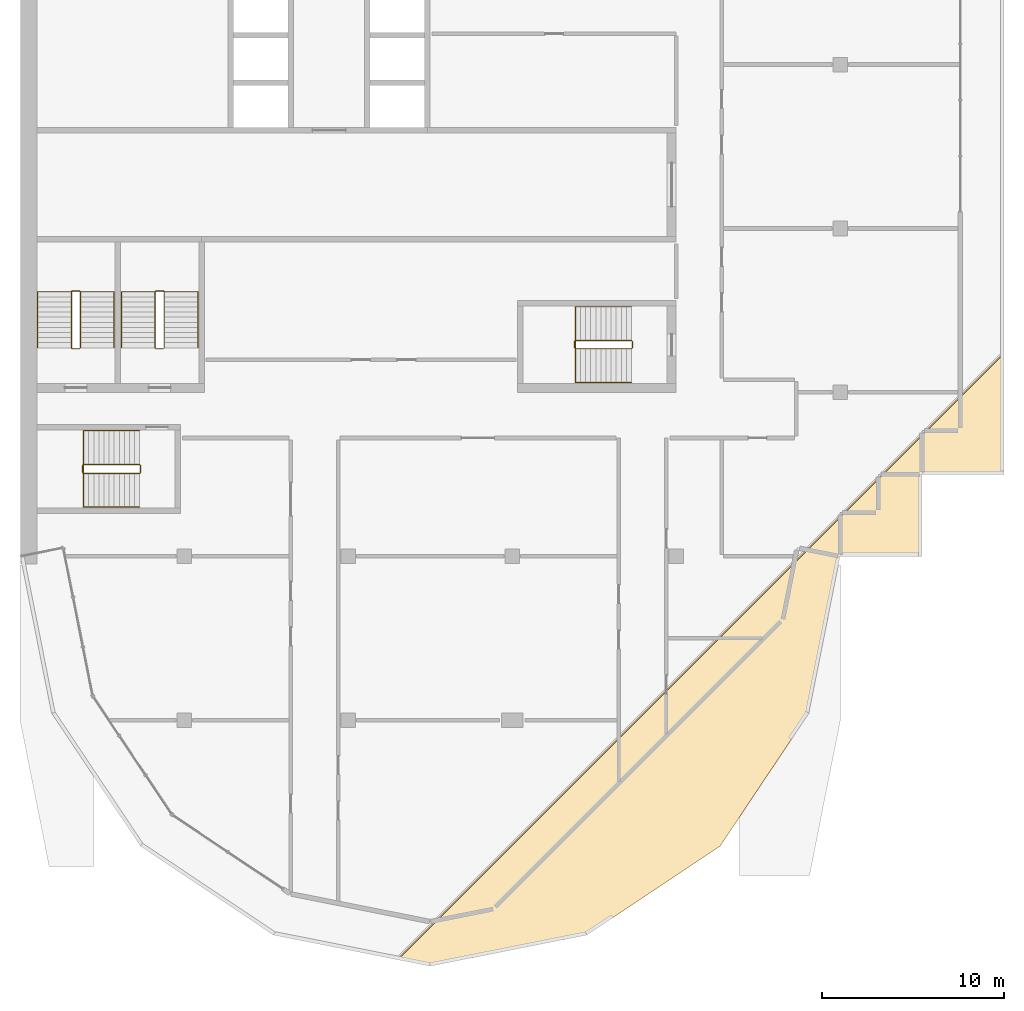
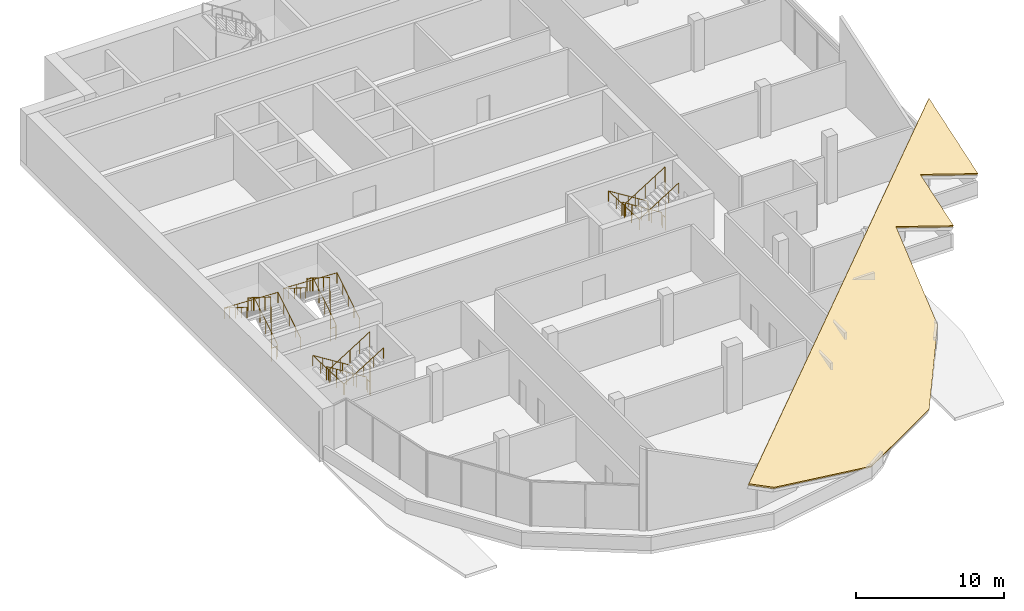
# One storey, part 10 of 11: 8 railings, 1 covering.
"""IFC4 building model written with IfcOpenShell, lengths in metres."""

from ifc_helpers import new_model, si_unit, direction, frame, origin, origin_2d, place, context, subcontext, project, spatial, polyline, circle, outline, extrude, material, layer, layer_set, type_object, element, save


model = new_model("IFC4")

# Units and contexts
model_context = context("Model", 3, precision=1e-05, world=origin(), true_north=direction((0.0, 1.0)))
body_context = subcontext(model_context, "Body", "Model", "MODEL_VIEW")
ifc_project = project(units=[si_unit("LENGTHUNIT", "METRE"), si_unit("AREAUNIT", "SQUARE_METRE"), si_unit("VOLUMEUNIT", "CUBIC_METRE"), si_unit("PLANEANGLEUNIT", "RADIAN"), si_unit("MASSUNIT", "GRAM", prefix="KILO")], contexts=[model_context])

# Site, building, storey
site_placement = place(None, origin())
site = spatial("IfcSite", under=ifc_project, at=site_placement, CompositionType="ELEMENT")
building_placement = place(site_placement, origin())
building = spatial("IfcBuilding", under=site, at=building_placement, Name="Hunhe Ridgeline Campus", CompositionType="ELEMENT")
storey_placement = place(building_placement, frame((0.0, 0.0, 303.0)))
storey = spatial("IfcBuildingStorey", under=building, at=storey_placement, Name="L78 Crown", CompositionType="ELEMENT", Elevation=303.0)

# Covering
ifc_material_1 = material(Name="Bituminous roofing membrane on mineral wool")
ifc_layer = layer(ifc_material_1, 0.14990234375)
ifc_layer_set = layer_set([ifc_layer], Name="Roof insulation and membrane 150")
covering_type = type_object("IfcCoveringType", Name="Roof insulation and membrane 150", PredefinedType="ROOFING", material=ifc_layer_set)
covering_placement = place(storey_placement, frame((43.287353515625, 45.3896484375, 0.95751953125), z_axis=(0.301517482112, -0.301515691383, 0.904530538916), x_axis=(0.188717177683, 0.948785706696, 0.253360434196)))
element("IfcCovering", 1, at=covering_placement, inside=storey, type_object=covering_type, Name="Roof insulation and membrane 1", PredefinedType="ROOFING", context=body_context, shape_type="SweptSolid", body=[
    extrude(outline(polyline([(0.0, 0.0), (9.075140106072418, 0.0), (9.544264898777948, -4.720238804871565), (14.193903085780324, -3.7813047427451423), (14.663027878485856, -8.501543547616706), (21.504494879676773, -7.120055447327616), (-16.339415168488156, 20.835791915878946), (-16.51867479246711, 18.906523713725715), (-13.851374844774915, 10.232212275059648), (-8.050793929831372, 3.5930462595243755), (0.0, 0.0)])), origin(), (0.0, 0.0, -1.0), 0.14990234375),
])

# Railings
ifc_material_2 = material(Name="Stainless steel balustrade", Category="steel")
railing_type_1 = type_object("IfcRailingType", Name="Stair guard 1100 stainless", PredefinedType="GUARDRAIL", material=ifc_material_2)
railing_1_placement = place(storey_placement, frame((33.550048828125, 65.85009765625, 0.175048828125)))
element("IfcRailing", 2, at=railing_1_placement, inside=storey, type_object=railing_type_1, Name="L78 Crown stair S2 guard", PredefinedType="GUARDRAIL", context=body_context, shape_type="SweptSolid", body=[
    extrude(circle(Radius=0.02392578125, at=origin_2d()), frame((0.0, 0.0, 1.076171875), z_axis=(-0.847998304005, 0.0, 0.529998940003), x_axis=(0.0, -1.0, 0.0)), (0.0, 0.0, 1.0), 3.632080078125),
    extrude(circle(Radius=0.02392578125, at=origin_2d()), frame((-3.080078125, 0.0, 3.0009765625), z_axis=(-0.707106781187, -0.707106781187, 0.0), x_axis=(0.707106781187, -0.707106781187, 0.0)), (0.0, 0.0, 1.0), 0.07080078125),
    extrude(circle(Radius=0.02392578125, at=origin_2d()), frame((-3.130126953125, -0.050048828125, 3.0009765625), z_axis=(0.0, -1.0, 0.0), x_axis=(1.0, 0.0, 0.0)), (0.0, 0.0, 1.0), 0.35009765625),
    extrude(circle(Radius=0.02392578125, at=origin_2d()), frame((-3.130126953125, -0.400146484375, 3.0009765625), z_axis=(0.265383341853, -0.265383341853, 0.926899867156), x_axis=(0.707106781187, 0.707106781187, 0.0)), (0.0, 0.0, 1.0), 0.1884765625),
    extrude(circle(Radius=0.02392578125, at=origin_2d()), frame((-3.080078125, -0.4501953125, 3.17578125), z_axis=(0.847998304005, 0.0, 0.529998940003), x_axis=(0.0, 1.0, 0.0)), (0.0, 0.0, 1.0), 3.632080078125),
    extrude(circle(Radius=0.02392578125, at=origin_2d()), frame((0.0, -0.4501953125, 5.10107421875), z_axis=(0.011914834358, 0.011914834358, -0.999858026644), x_axis=(-0.707106781187, 0.707106781187, 0.0)), (0.0, 0.0, 1.0), 4.200439453125),
    extrude(circle(Radius=0.02392578125, at=origin_2d()), frame((0.050048828125, -0.400146484375, 0.90087890625), z_axis=(0.0, 1.0, 0.0), x_axis=(-1.0, 0.0, 0.0)), (0.0, 0.0, 1.0), 0.35009765625),
    extrude(circle(Radius=0.02099609375, at=origin_2d()), origin(), (0.0, 0.0, 1.0), 1.052001953125),
    extrude(circle(Radius=0.02099609375, at=origin_2d()), frame((-0.77001953125, 0.0, 0.481201171875)), (0.0, 0.0, 1.0), 1.052001953125),
    extrude(circle(Radius=0.02099609375, at=origin_2d()), frame((-1.5400390625, 0.0, 0.96240234375)), (0.0, 0.0, 1.0), 1.052001953125),
    extrude(circle(Radius=0.02099609375, at=origin_2d()), frame((-2.31005859375, 0.0, 1.44384765625)), (0.0, 0.0, 1.0), 1.052001953125),
    extrude(circle(Radius=0.02099609375, at=origin_2d()), frame((-3.080078125, 0.0, 1.925048828125)), (0.0, 0.0, 1.0), 1.052001953125),
    extrude(circle(Radius=0.02099609375, at=origin_2d()), frame((-3.130126953125, -0.050048828125, 1.925048828125)), (0.0, 0.0, 1.0), 1.052001953125),
    extrude(circle(Radius=0.02099609375, at=origin_2d()), frame((-3.130126953125, -0.400146484375, 1.925048828125)), (0.0, 0.0, 1.0), 1.052001953125),
    extrude(circle(Radius=0.02099609375, at=origin_2d()), frame((-3.080078125, -0.4501953125, 2.099853515625)), (0.0, 0.0, 1.0), 1.052001953125),
    extrude(circle(Radius=0.02099609375, at=origin_2d()), frame((-2.31005859375, -0.4501953125, 2.5810546875)), (0.0, 0.0, 1.0), 1.052001953125),
    extrude(circle(Radius=0.02099609375, at=origin_2d()), frame((-1.5400390625, -0.4501953125, 3.0625)), (0.0, 0.0, 1.0), 1.052001953125),
    extrude(circle(Radius=0.02099609375, at=origin_2d()), frame((-0.77001953125, -0.4501953125, 3.543701171875)), (0.0, 0.0, 1.0), 1.052001953125),
    extrude(circle(Radius=0.02099609375, at=origin_2d()), frame((0.0, -0.4501953125, 4.02490234375)), (0.0, 0.0, 1.0), 1.052001953125),
    extrude(circle(Radius=0.02099609375, at=origin_2d()), frame((0.012451171875, -0.437744140625, 2.974853515625)), (0.0, 0.0, 1.0), 1.052001953125),
    extrude(circle(Radius=0.02099609375, at=origin_2d()), frame((0.02490234375, -0.42529296875, 1.9248046875)), (0.0, 0.0, 1.0), 1.052001953125),
    extrude(circle(Radius=0.02099609375, at=origin_2d()), frame((0.03759765625, -0.41259765625, 0.875)), (0.0, 0.0, 1.0), 1.052001953125),
    extrude(circle(Radius=0.02099609375, at=origin_2d()), frame((0.050048828125, -0.400146484375, -0.175048828125)), (0.0, 0.0, 1.0), 1.052001953125),
    extrude(circle(Radius=0.02099609375, at=origin_2d()), frame((0.050048828125, -0.050048828125, -0.175048828125)), (0.0, 0.0, 1.0), 1.052001953125),
])
railing_2_placement = place(storey_placement, frame((3.300048828125, 65.449951171875, 0.175048828125)))
element("IfcRailing", 3, at=railing_2_placement, inside=storey, type_object=railing_type_1, Name="L78 Crown stair S3 guard", PredefinedType="GUARDRAIL", context=body_context, shape_type="SweptSolid", body=[
    extrude(circle(Radius=0.02392578125, at=origin_2d()), frame((0.0, 0.0, 1.076171875), z_axis=(0.0, 0.847998304005, 0.529998940003), x_axis=(-1.0, 0.0, 0.0)), (0.0, 0.0, 1.0), 3.632080078125),
    extrude(circle(Radius=0.02392578125, at=origin_2d()), frame((0.0, 3.080078125, 3.0009765625), z_axis=(-0.707106781187, 0.707106781187, 0.0), x_axis=(-0.707106781187, -0.707106781187, 0.0)), (0.0, 0.0, 1.0), 0.07080078125),
    extrude(circle(Radius=0.02392578125, at=origin_2d()), frame((-0.050048828125, 3.130126953125, 3.0009765625), z_axis=(-1.0, 0.0, 0.0), x_axis=(0.0, -1.0, 0.0)), (0.0, 0.0, 1.0), 0.39990234375),
    extrude(circle(Radius=0.02392578125, at=origin_2d()), frame((-0.449951171875, 3.130126953125, 3.0009765625), z_axis=(-0.265383341853, -0.265383341853, 0.926899867156), x_axis=(0.707106781187, -0.707106781187, 0.0)), (0.0, 0.0, 1.0), 0.1884765625),
    extrude(circle(Radius=0.02392578125, at=origin_2d()), frame((-0.5, 3.080078125, 3.17578125), z_axis=(0.0, -0.847998304005, 0.529998940003), x_axis=(1.0, 0.0, 0.0)), (0.0, 0.0, 1.0), 3.632080078125),
    extrude(circle(Radius=0.02392578125, at=origin_2d()), frame((-0.5, 0.0, 5.10107421875), z_axis=(0.011914834358, -0.011914834358, -0.999858026644), x_axis=(0.707106781187, 0.707106781187, 0.0)), (0.0, 0.0, 1.0), 4.200439453125),
    extrude(circle(Radius=0.02392578125, at=origin_2d()), frame((-0.449951171875, -0.050048828125, 0.90087890625), z_axis=(1.0, 0.0, 0.0), x_axis=(0.0, 1.0, 0.0)), (0.0, 0.0, 1.0), 0.39990234375),
    extrude(circle(Radius=0.02099609375, at=origin_2d()), origin(), (0.0, 0.0, 1.0), 1.052001953125),
    extrude(circle(Radius=0.02099609375, at=origin_2d()), frame((0.0, 0.77001953125, 0.481201171875)), (0.0, 0.0, 1.0), 1.052001953125),
    extrude(circle(Radius=0.02099609375, at=origin_2d()), frame((0.0, 1.5400390625, 0.96240234375)), (0.0, 0.0, 1.0), 1.052001953125),
    extrude(circle(Radius=0.02099609375, at=origin_2d()), frame((0.0, 2.31005859375, 1.44384765625)), (0.0, 0.0, 1.0), 1.052001953125),
    extrude(circle(Radius=0.02099609375, at=origin_2d()), frame((0.0, 3.080078125, 1.925048828125)), (0.0, 0.0, 1.0), 1.052001953125),
    extrude(circle(Radius=0.02099609375, at=origin_2d()), frame((-0.050048828125, 3.130126953125, 1.925048828125)), (0.0, 0.0, 1.0), 1.052001953125),
    extrude(circle(Radius=0.02099609375, at=origin_2d()), frame((-0.449951171875, 3.130126953125, 1.925048828125)), (0.0, 0.0, 1.0), 1.052001953125),
    extrude(circle(Radius=0.02099609375, at=origin_2d()), frame((-0.5, 3.080078125, 2.099853515625)), (0.0, 0.0, 1.0), 1.052001953125),
    extrude(circle(Radius=0.02099609375, at=origin_2d()), frame((-0.5, 2.31005859375, 2.5810546875)), (0.0, 0.0, 1.0), 1.052001953125),
    extrude(circle(Radius=0.02099609375, at=origin_2d()), frame((-0.5, 1.5400390625, 3.0625)), (0.0, 0.0, 1.0), 1.052001953125),
    extrude(circle(Radius=0.02099609375, at=origin_2d()), frame((-0.5, 0.77001953125, 3.543701171875)), (0.0, 0.0, 1.0), 1.052001953125),
    extrude(circle(Radius=0.02099609375, at=origin_2d()), frame((-0.5, 0.0, 4.02490234375)), (0.0, 0.0, 1.0), 1.052001953125),
    extrude(circle(Radius=0.02099609375, at=origin_2d()), frame((-0.487548828125, -0.012451171875, 2.974853515625)), (0.0, 0.0, 1.0), 1.052001953125),
    extrude(circle(Radius=0.02099609375, at=origin_2d()), frame((-0.47509765625, -0.02490234375, 1.9248046875)), (0.0, 0.0, 1.0), 1.052001953125),
    extrude(circle(Radius=0.02099609375, at=origin_2d()), frame((-0.46240234375, -0.03759765625, 0.875)), (0.0, 0.0, 1.0), 1.052001953125),
    extrude(circle(Radius=0.02099609375, at=origin_2d()), frame((-0.449951171875, -0.050048828125, -0.175048828125)), (0.0, 0.0, 1.0), 1.052001953125),
    extrude(circle(Radius=0.02099609375, at=origin_2d()), frame((-0.050048828125, -0.050048828125, -0.175048828125)), (0.0, 0.0, 1.0), 1.052001953125),
])
railing_3_placement = place(storey_placement, frame((7.89990234375, 65.449951171875, 0.175048828125)))
element("IfcRailing", 4, at=railing_3_placement, inside=storey, type_object=railing_type_1, Name="L78 Crown stair S4 guard", PredefinedType="GUARDRAIL", context=body_context, shape_type="SweptSolid", body=[
    extrude(circle(Radius=0.02392578125, at=origin_2d()), frame((0.0, 0.0, 1.076171875), z_axis=(0.0, 0.847998304005, 0.529998940003), x_axis=(-1.0, 0.0, 0.0)), (0.0, 0.0, 1.0), 3.632080078125),
    extrude(circle(Radius=0.02392578125, at=origin_2d()), frame((0.0, 3.080078125, 3.0009765625), z_axis=(-0.705375805398, 0.708833529934, 0.0), x_axis=(-0.708833529934, -0.705375805398, 0.0)), (0.0, 0.0, 1.0), 0.070556640625),
    extrude(circle(Radius=0.02392578125, at=origin_2d()), frame((-0.0498046875, 3.130126953125, 3.0009765625), z_axis=(-1.0, 0.0, 0.0), x_axis=(0.0, -1.0, 0.0)), (0.0, 0.0, 1.0), 0.400146484375),
    extrude(circle(Radius=0.02392578125, at=origin_2d()), frame((-0.449951171875, 3.130126953125, 3.0009765625), z_axis=(-0.265383341853, -0.265383341853, 0.926899867156), x_axis=(0.707106781187, -0.707106781187, 0.0)), (0.0, 0.0, 1.0), 0.1884765625),
    extrude(circle(Radius=0.02392578125, at=origin_2d()), frame((-0.5, 3.080078125, 3.17578125), z_axis=(0.0, -0.847998304005, 0.529998940003), x_axis=(1.0, 0.0, 0.0)), (0.0, 0.0, 1.0), 3.632080078125),
    extrude(circle(Radius=0.02392578125, at=origin_2d()), frame((-0.5, 0.0, 5.10107421875), z_axis=(0.011914834358, -0.011914834358, -0.999858026644), x_axis=(0.707106781187, 0.707106781187, 0.0)), (0.0, 0.0, 1.0), 4.200439453125),
    extrude(circle(Radius=0.02392578125, at=origin_2d()), frame((-0.449951171875, -0.050048828125, 0.90087890625), z_axis=(1.0, 0.0, 0.0), x_axis=(0.0, 1.0, 0.0)), (0.0, 0.0, 1.0), 0.400146484375),
    extrude(circle(Radius=0.02099609375, at=origin_2d()), origin(), (0.0, 0.0, 1.0), 1.052001953125),
    extrude(circle(Radius=0.02099609375, at=origin_2d()), frame((0.0, 0.77001953125, 0.481201171875)), (0.0, 0.0, 1.0), 1.052001953125),
    extrude(circle(Radius=0.02099609375, at=origin_2d()), frame((0.0, 1.5400390625, 0.96240234375)), (0.0, 0.0, 1.0), 1.052001953125),
    extrude(circle(Radius=0.02099609375, at=origin_2d()), frame((0.0, 2.31005859375, 1.44384765625)), (0.0, 0.0, 1.0), 1.052001953125),
    extrude(circle(Radius=0.02099609375, at=origin_2d()), frame((0.0, 3.080078125, 1.925048828125)), (0.0, 0.0, 1.0), 1.052001953125),
    extrude(circle(Radius=0.02099609375, at=origin_2d()), frame((-0.0498046875, 3.130126953125, 1.925048828125)), (0.0, 0.0, 1.0), 1.052001953125),
    extrude(circle(Radius=0.02099609375, at=origin_2d()), frame((-0.449951171875, 3.130126953125, 1.925048828125)), (0.0, 0.0, 1.0), 1.052001953125),
    extrude(circle(Radius=0.02099609375, at=origin_2d()), frame((-0.5, 3.080078125, 2.099853515625)), (0.0, 0.0, 1.0), 1.052001953125),
    extrude(circle(Radius=0.02099609375, at=origin_2d()), frame((-0.5, 2.31005859375, 2.5810546875)), (0.0, 0.0, 1.0), 1.052001953125),
    extrude(circle(Radius=0.02099609375, at=origin_2d()), frame((-0.5, 1.5400390625, 3.0625)), (0.0, 0.0, 1.0), 1.052001953125),
    extrude(circle(Radius=0.02099609375, at=origin_2d()), frame((-0.5, 0.77001953125, 3.543701171875)), (0.0, 0.0, 1.0), 1.052001953125),
    extrude(circle(Radius=0.02099609375, at=origin_2d()), frame((-0.5, 0.0, 4.02490234375)), (0.0, 0.0, 1.0), 1.052001953125),
    extrude(circle(Radius=0.02099609375, at=origin_2d()), frame((-0.487548828125, -0.012451171875, 2.974853515625)), (0.0, 0.0, 1.0), 1.052001953125),
    extrude(circle(Radius=0.02099609375, at=origin_2d()), frame((-0.47509765625, -0.02490234375, 1.9248046875)), (0.0, 0.0, 1.0), 1.052001953125),
    extrude(circle(Radius=0.02099609375, at=origin_2d()), frame((-0.46240234375, -0.03759765625, 0.875)), (0.0, 0.0, 1.0), 1.052001953125),
    extrude(circle(Radius=0.02099609375, at=origin_2d()), frame((-0.449951171875, -0.050048828125, -0.175048828125)), (0.0, 0.0, 1.0), 1.052001953125),
    extrude(circle(Radius=0.02099609375, at=origin_2d()), frame((-0.0498046875, -0.050048828125, -0.175048828125)), (0.0, 0.0, 1.0), 1.052001953125),
])
railing_4_placement = place(storey_placement, frame((6.550048828125, 59.050048828125, 0.175048828125)))
element("IfcRailing", 5, at=railing_4_placement, inside=storey, type_object=railing_type_1, Name="L78 Crown stair W2 guard", PredefinedType="GUARDRAIL", context=body_context, shape_type="SweptSolid", body=[
    extrude(circle(Radius=0.02392578125, at=origin_2d()), frame((0.0, 0.0, 1.076171875), z_axis=(-0.847998304005, 0.0, 0.529998940003), x_axis=(0.0, -1.0, 0.0)), (0.0, 0.0, 1.0), 3.632080078125),
    extrude(circle(Radius=0.02392578125, at=origin_2d()), frame((-3.080078125, 0.0, 3.0009765625), z_axis=(-0.707106781187, -0.707106781187, 0.0), x_axis=(0.707106781187, -0.707106781187, 0.0)), (0.0, 0.0, 1.0), 0.07080078125),
    extrude(circle(Radius=0.02392578125, at=origin_2d()), frame((-3.130126953125, -0.050048828125, 3.0009765625), z_axis=(0.0, -1.0, 0.0), x_axis=(1.0, 0.0, 0.0)), (0.0, 0.0, 1.0), 0.39990234375),
    extrude(circle(Radius=0.02392578125, at=origin_2d()), frame((-3.130126953125, -0.449951171875, 3.0009765625), z_axis=(0.265383341853, -0.265383341853, 0.926899867156), x_axis=(0.707106781187, 0.707106781187, 0.0)), (0.0, 0.0, 1.0), 0.1884765625),
    extrude(circle(Radius=0.02392578125, at=origin_2d()), frame((-3.080078125, -0.5, 3.17578125), z_axis=(0.847998304005, 0.0, 0.529998940003), x_axis=(0.0, 1.0, 0.0)), (0.0, 0.0, 1.0), 3.632080078125),
    extrude(circle(Radius=0.02392578125, at=origin_2d()), frame((0.0, -0.5, 5.10107421875), z_axis=(0.011914834358, 0.011914834358, -0.999858026644), x_axis=(-0.707106781187, 0.707106781187, 0.0)), (0.0, 0.0, 1.0), 4.200439453125),
    extrude(circle(Radius=0.02392578125, at=origin_2d()), frame((0.050048828125, -0.449951171875, 0.90087890625), z_axis=(0.0, 1.0, 0.0), x_axis=(-1.0, 0.0, 0.0)), (0.0, 0.0, 1.0), 0.39990234375),
    extrude(circle(Radius=0.02099609375, at=origin_2d()), origin(), (0.0, 0.0, 1.0), 1.052001953125),
    extrude(circle(Radius=0.02099609375, at=origin_2d()), frame((-0.77001953125, 0.0, 0.481201171875)), (0.0, 0.0, 1.0), 1.052001953125),
    extrude(circle(Radius=0.02099609375, at=origin_2d()), frame((-1.5400390625, 0.0, 0.96240234375)), (0.0, 0.0, 1.0), 1.052001953125),
    extrude(circle(Radius=0.02099609375, at=origin_2d()), frame((-2.31005859375, 0.0, 1.44384765625)), (0.0, 0.0, 1.0), 1.052001953125),
    extrude(circle(Radius=0.02099609375, at=origin_2d()), frame((-3.080078125, 0.0, 1.925048828125)), (0.0, 0.0, 1.0), 1.052001953125),
    extrude(circle(Radius=0.02099609375, at=origin_2d()), frame((-3.130126953125, -0.050048828125, 1.925048828125)), (0.0, 0.0, 1.0), 1.052001953125),
    extrude(circle(Radius=0.02099609375, at=origin_2d()), frame((-3.130126953125, -0.449951171875, 1.925048828125)), (0.0, 0.0, 1.0), 1.052001953125),
    extrude(circle(Radius=0.02099609375, at=origin_2d()), frame((-3.080078125, -0.5, 2.099853515625)), (0.0, 0.0, 1.0), 1.052001953125),
    extrude(circle(Radius=0.02099609375, at=origin_2d()), frame((-2.31005859375, -0.5, 2.5810546875)), (0.0, 0.0, 1.0), 1.052001953125),
    extrude(circle(Radius=0.02099609375, at=origin_2d()), frame((-1.5400390625, -0.5, 3.0625)), (0.0, 0.0, 1.0), 1.052001953125),
    extrude(circle(Radius=0.02099609375, at=origin_2d()), frame((-0.77001953125, -0.5, 3.543701171875)), (0.0, 0.0, 1.0), 1.052001953125),
    extrude(circle(Radius=0.02099609375, at=origin_2d()), frame((0.0, -0.5, 4.02490234375)), (0.0, 0.0, 1.0), 1.052001953125),
    extrude(circle(Radius=0.02099609375, at=origin_2d()), frame((0.012451171875, -0.487548828125, 2.974853515625)), (0.0, 0.0, 1.0), 1.052001953125),
    extrude(circle(Radius=0.02099609375, at=origin_2d()), frame((0.02490234375, -0.47509765625, 1.9248046875)), (0.0, 0.0, 1.0), 1.052001953125),
    extrude(circle(Radius=0.02099609375, at=origin_2d()), frame((0.03759765625, -0.46240234375, 0.875)), (0.0, 0.0, 1.0), 1.052001953125),
    extrude(circle(Radius=0.02099609375, at=origin_2d()), frame((0.050048828125, -0.449951171875, -0.175048828125)), (0.0, 0.0, 1.0), 1.052001953125),
    extrude(circle(Radius=0.02099609375, at=origin_2d()), frame((0.050048828125, -0.050048828125, -0.175048828125)), (0.0, 0.0, 1.0), 1.052001953125),
])
ifc_material_3 = material(Name="Stainless steel handrail", Category="steel")
railing_type_2 = type_object("IfcRailingType", Name="Stair handrail 900 stainless", PredefinedType="HANDRAIL", material=ifc_material_3)
railing_5_placement = place(storey_placement, frame((33.550048828125, 67.699951171875, 0.175048828125)))
element("IfcRailing", 6, at=railing_5_placement, inside=storey, type_object=railing_type_2, Name="L78 Crown stair S2 handrail", PredefinedType="HANDRAIL", context=body_context, shape_type="SweptSolid", body=[
    extrude(circle(Radius=0.02392578125, at=origin_2d()), frame((0.0, 0.0, 0.8759765625), z_axis=(-0.847998304005, 0.0, 0.529998940003), x_axis=(0.0, -1.0, 0.0)), (0.0, 0.0, 1.0), 3.632080078125),
    extrude(circle(Radius=0.02392578125, at=origin_2d()), frame((-3.080078125, 0.0, 2.80078125), z_axis=(0.0, -0.999114022001, 0.04208528296), x_axis=(1.0, 0.0, 0.0)), (0.0, 0.0, 1.0), 4.153564453125),
    extrude(circle(Radius=0.02392578125, at=origin_2d()), frame((-3.080078125, -4.14990234375, 2.9755859375), z_axis=(0.847998304005, 0.0, 0.529998940003), x_axis=(0.0, 1.0, 0.0)), (0.0, 0.0, 1.0), 3.632080078125),
    extrude(circle(Radius=0.02099609375, at=origin_2d()), origin(), (0.0, 0.0, 1.0), 0.851806640625),
    extrude(circle(Radius=0.02099609375, at=origin_2d()), frame((-0.77001953125, 0.0, 0.481201171875)), (0.0, 0.0, 1.0), 0.851806640625),
    extrude(circle(Radius=0.02099609375, at=origin_2d()), frame((-1.5400390625, 0.0, 0.96240234375)), (0.0, 0.0, 1.0), 0.851806640625),
    extrude(circle(Radius=0.02099609375, at=origin_2d()), frame((-2.31005859375, 0.0, 1.44384765625)), (0.0, 0.0, 1.0), 0.851806640625),
    extrude(circle(Radius=0.02099609375, at=origin_2d()), frame((-3.080078125, 0.0, 1.925048828125)), (0.0, 0.0, 1.0), 0.851806640625),
    extrude(circle(Radius=0.02099609375, at=origin_2d()), frame((-3.080078125, -1.03759765625, 1.96875)), (0.0, 0.0, 1.0), 0.851806640625),
    extrude(circle(Radius=0.02099609375, at=origin_2d()), frame((-3.080078125, -2.074951171875, 2.012451171875)), (0.0, 0.0, 1.0), 0.851806640625),
    extrude(circle(Radius=0.02099609375, at=origin_2d()), frame((-3.080078125, -3.1123046875, 2.05615234375)), (0.0, 0.0, 1.0), 0.851806640625),
    extrude(circle(Radius=0.02099609375, at=origin_2d()), frame((-3.080078125, -4.14990234375, 2.099853515625)), (0.0, 0.0, 1.0), 0.851806640625),
    extrude(circle(Radius=0.02099609375, at=origin_2d()), frame((-2.31005859375, -4.14990234375, 2.5810546875)), (0.0, 0.0, 1.0), 0.851806640625),
    extrude(circle(Radius=0.02099609375, at=origin_2d()), frame((-1.5400390625, -4.14990234375, 3.0625)), (0.0, 0.0, 1.0), 0.851806640625),
    extrude(circle(Radius=0.02099609375, at=origin_2d()), frame((-0.77001953125, -4.14990234375, 3.543701171875)), (0.0, 0.0, 1.0), 0.851806640625),
    extrude(circle(Radius=0.02099609375, at=origin_2d()), frame((0.0, -4.14990234375, 4.02490234375)), (0.0, 0.0, 1.0), 0.851806640625),
])
railing_6_placement = place(storey_placement, frame((5.14990234375, 65.449951171875, 0.175048828125)))
element("IfcRailing", 7, at=railing_6_placement, inside=storey, type_object=railing_type_2, Name="L78 Crown stair S3 handrail", PredefinedType="HANDRAIL", context=body_context, shape_type="SweptSolid", body=[
    extrude(circle(Radius=0.02392578125, at=origin_2d()), frame((0.0, 0.0, 0.8759765625), z_axis=(0.0, 0.847998304005, 0.529998940003), x_axis=(-1.0, 0.0, 0.0)), (0.0, 0.0, 1.0), 3.632080078125),
    extrude(circle(Radius=0.02392578125, at=origin_2d()), frame((0.0, 3.080078125, 2.80078125), z_axis=(-0.999134984522, 0.0, 0.041584645057), x_axis=(0.0, -1.0, 0.0)), (0.0, 0.0, 1.0), 4.20361328125),
    extrude(circle(Radius=0.02392578125, at=origin_2d()), frame((-4.199951171875, 3.080078125, 2.9755859375), z_axis=(0.0, -0.847998304005, 0.529998940003), x_axis=(1.0, 0.0, 0.0)), (0.0, 0.0, 1.0), 3.632080078125),
    extrude(circle(Radius=0.02099609375, at=origin_2d()), origin(), (0.0, 0.0, 1.0), 0.851806640625),
    extrude(circle(Radius=0.02099609375, at=origin_2d()), frame((0.0, 0.77001953125, 0.481201171875)), (0.0, 0.0, 1.0), 0.851806640625),
    extrude(circle(Radius=0.02099609375, at=origin_2d()), frame((0.0, 1.5400390625, 0.96240234375)), (0.0, 0.0, 1.0), 0.851806640625),
    extrude(circle(Radius=0.02099609375, at=origin_2d()), frame((0.0, 2.31005859375, 1.44384765625)), (0.0, 0.0, 1.0), 0.851806640625),
    extrude(circle(Radius=0.02099609375, at=origin_2d()), frame((0.0, 3.080078125, 1.925048828125)), (0.0, 0.0, 1.0), 0.851806640625),
    extrude(circle(Radius=0.02099609375, at=origin_2d()), frame((-1.050048828125, 3.080078125, 1.96875)), (0.0, 0.0, 1.0), 0.851806640625),
    extrude(circle(Radius=0.02099609375, at=origin_2d()), frame((-2.10009765625, 3.080078125, 2.012451171875)), (0.0, 0.0, 1.0), 0.851806640625),
    extrude(circle(Radius=0.02099609375, at=origin_2d()), frame((-3.14990234375, 3.080078125, 2.05615234375)), (0.0, 0.0, 1.0), 0.851806640625),
    extrude(circle(Radius=0.02099609375, at=origin_2d()), frame((-4.199951171875, 3.080078125, 2.099853515625)), (0.0, 0.0, 1.0), 0.851806640625),
    extrude(circle(Radius=0.02099609375, at=origin_2d()), frame((-4.199951171875, 2.31005859375, 2.5810546875)), (0.0, 0.0, 1.0), 0.851806640625),
    extrude(circle(Radius=0.02099609375, at=origin_2d()), frame((-4.199951171875, 1.5400390625, 3.0625)), (0.0, 0.0, 1.0), 0.851806640625),
    extrude(circle(Radius=0.02099609375, at=origin_2d()), frame((-4.199951171875, 0.77001953125, 3.543701171875)), (0.0, 0.0, 1.0), 0.851806640625),
    extrude(circle(Radius=0.02099609375, at=origin_2d()), frame((-4.199951171875, 0.0, 4.02490234375)), (0.0, 0.0, 1.0), 0.851806640625),
])
railing_7_placement = place(storey_placement, frame((9.75, 65.449951171875, 0.175048828125)))
element("IfcRailing", 8, at=railing_7_placement, inside=storey, type_object=railing_type_2, Name="L78 Crown stair S4 handrail", PredefinedType="HANDRAIL", context=body_context, shape_type="SweptSolid", body=[
    extrude(circle(Radius=0.02392578125, at=origin_2d()), frame((0.0, 0.0, 0.8759765625), z_axis=(0.0, 0.847998304005, 0.529998940003), x_axis=(-1.0, 0.0, 0.0)), (0.0, 0.0, 1.0), 3.632080078125),
    extrude(circle(Radius=0.02392578125, at=origin_2d()), frame((0.0, 3.080078125, 2.80078125), z_axis=(-0.999134984522, 0.0, 0.041584645057), x_axis=(0.0, -1.0, 0.0)), (0.0, 0.0, 1.0), 4.20361328125),
    extrude(circle(Radius=0.02392578125, at=origin_2d()), frame((-4.199951171875, 3.080078125, 2.9755859375), z_axis=(0.0, -0.847998304005, 0.529998940003), x_axis=(1.0, 0.0, 0.0)), (0.0, 0.0, 1.0), 3.632080078125),
    extrude(circle(Radius=0.02099609375, at=origin_2d()), origin(), (0.0, 0.0, 1.0), 0.851806640625),
    extrude(circle(Radius=0.02099609375, at=origin_2d()), frame((0.0, 0.77001953125, 0.481201171875)), (0.0, 0.0, 1.0), 0.851806640625),
    extrude(circle(Radius=0.02099609375, at=origin_2d()), frame((0.0, 1.5400390625, 0.96240234375)), (0.0, 0.0, 1.0), 0.851806640625),
    extrude(circle(Radius=0.02099609375, at=origin_2d()), frame((0.0, 2.31005859375, 1.44384765625)), (0.0, 0.0, 1.0), 0.851806640625),
    extrude(circle(Radius=0.02099609375, at=origin_2d()), frame((0.0, 3.080078125, 1.925048828125)), (0.0, 0.0, 1.0), 0.851806640625),
    extrude(circle(Radius=0.02099609375, at=origin_2d()), frame((-1.050048828125, 3.080078125, 1.96875)), (0.0, 0.0, 1.0), 0.851806640625),
    extrude(circle(Radius=0.02099609375, at=origin_2d()), frame((-2.10009765625, 3.080078125, 2.012451171875)), (0.0, 0.0, 1.0), 0.851806640625),
    extrude(circle(Radius=0.02099609375, at=origin_2d()), frame((-3.14990234375, 3.080078125, 2.05615234375)), (0.0, 0.0, 1.0), 0.851806640625),
    extrude(circle(Radius=0.02099609375, at=origin_2d()), frame((-4.199951171875, 3.080078125, 2.099853515625)), (0.0, 0.0, 1.0), 0.851806640625),
    extrude(circle(Radius=0.02099609375, at=origin_2d()), frame((-4.199951171875, 2.31005859375, 2.5810546875)), (0.0, 0.0, 1.0), 0.851806640625),
    extrude(circle(Radius=0.02099609375, at=origin_2d()), frame((-4.199951171875, 1.5400390625, 3.0625)), (0.0, 0.0, 1.0), 0.851806640625),
    extrude(circle(Radius=0.02099609375, at=origin_2d()), frame((-4.199951171875, 0.77001953125, 3.543701171875)), (0.0, 0.0, 1.0), 0.851806640625),
    extrude(circle(Radius=0.02099609375, at=origin_2d()), frame((-4.199951171875, 0.0, 4.02490234375)), (0.0, 0.0, 1.0), 0.851806640625),
])
railing_8_placement = place(storey_placement, frame((6.550048828125, 60.89990234375, 0.175048828125)))
element("IfcRailing", 9, at=railing_8_placement, inside=storey, type_object=railing_type_2, Name="L78 Crown stair W2 handrail", PredefinedType="HANDRAIL", context=body_context, shape_type="SweptSolid", body=[
    extrude(circle(Radius=0.02392578125, at=origin_2d()), frame((0.0, 0.0, 0.8759765625), z_axis=(-0.847998304005, 0.0, 0.529998940003), x_axis=(0.0, -1.0, 0.0)), (0.0, 0.0, 1.0), 3.632080078125),
    extrude(circle(Radius=0.02392578125, at=origin_2d()), frame((-3.080078125, 0.0, 2.80078125), z_axis=(0.0, -0.999134984522, 0.041584645057), x_axis=(1.0, 0.0, 0.0)), (0.0, 0.0, 1.0), 4.20361328125),
    extrude(circle(Radius=0.02392578125, at=origin_2d()), frame((-3.080078125, -4.199951171875, 2.9755859375), z_axis=(0.847998304005, 0.0, 0.529998940003), x_axis=(0.0, 1.0, 0.0)), (0.0, 0.0, 1.0), 3.632080078125),
    extrude(circle(Radius=0.02099609375, at=origin_2d()), origin(), (0.0, 0.0, 1.0), 0.851806640625),
    extrude(circle(Radius=0.02099609375, at=origin_2d()), frame((-0.77001953125, 0.0, 0.481201171875)), (0.0, 0.0, 1.0), 0.851806640625),
    extrude(circle(Radius=0.02099609375, at=origin_2d()), frame((-1.5400390625, 0.0, 0.96240234375)), (0.0, 0.0, 1.0), 0.851806640625),
    extrude(circle(Radius=0.02099609375, at=origin_2d()), frame((-2.31005859375, 0.0, 1.44384765625)), (0.0, 0.0, 1.0), 0.851806640625),
    extrude(circle(Radius=0.02099609375, at=origin_2d()), frame((-3.080078125, 0.0, 1.925048828125)), (0.0, 0.0, 1.0), 0.851806640625),
    extrude(circle(Radius=0.02099609375, at=origin_2d()), frame((-3.080078125, -1.050048828125, 1.96875)), (0.0, 0.0, 1.0), 0.851806640625),
    extrude(circle(Radius=0.02099609375, at=origin_2d()), frame((-3.080078125, -2.10009765625, 2.012451171875)), (0.0, 0.0, 1.0), 0.851806640625),
    extrude(circle(Radius=0.02099609375, at=origin_2d()), frame((-3.080078125, -3.14990234375, 2.05615234375)), (0.0, 0.0, 1.0), 0.851806640625),
    extrude(circle(Radius=0.02099609375, at=origin_2d()), frame((-3.080078125, -4.199951171875, 2.099853515625)), (0.0, 0.0, 1.0), 0.851806640625),
    extrude(circle(Radius=0.02099609375, at=origin_2d()), frame((-2.31005859375, -4.199951171875, 2.5810546875)), (0.0, 0.0, 1.0), 0.851806640625),
    extrude(circle(Radius=0.02099609375, at=origin_2d()), frame((-1.5400390625, -4.199951171875, 3.0625)), (0.0, 0.0, 1.0), 0.851806640625),
    extrude(circle(Radius=0.02099609375, at=origin_2d()), frame((-0.77001953125, -4.199951171875, 3.543701171875)), (0.0, 0.0, 1.0), 0.851806640625),
    extrude(circle(Radius=0.02099609375, at=origin_2d()), frame((0.0, -4.199951171875, 4.02490234375)), (0.0, 0.0, 1.0), 0.851806640625),
])

save(model, "model.ifc")
